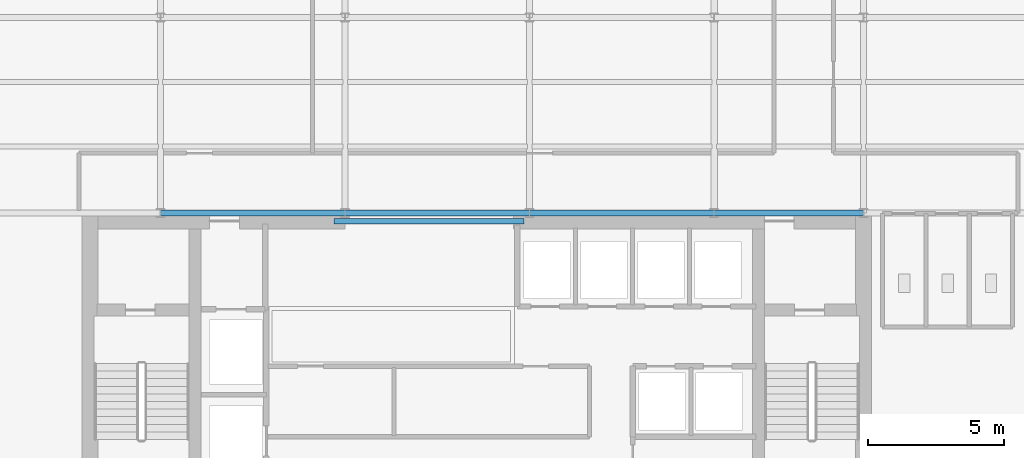
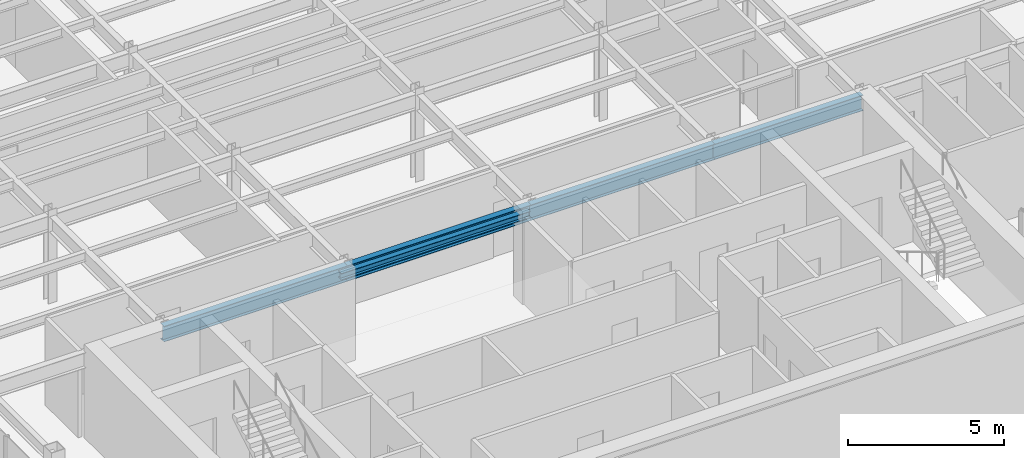
# One storey, part 4 of 22: 5 beams.
"""IFC4 building model written with IfcOpenShell, lengths in metres."""

from ifc_helpers import new_model, si_unit, derived_unit, direction, frame, origin, origin_2d, place, context, subcontext, project, spatial, i_section, extrude, source, transform, mapped, material, material_profile, profile_set, type_object, element, save


model = new_model("IFC4")

# Units and contexts
model_context = context("Model", 3, precision=1e-05, world=origin(), true_north=direction((0.0, 1.0)))
body_context = subcontext(model_context, "Body", "Model", "MODEL_VIEW")
ifc_project = project(units=[si_unit("LENGTHUNIT", "METRE"), si_unit("AREAUNIT", "SQUARE_METRE"), si_unit("VOLUMEUNIT", "CUBIC_METRE"), si_unit("PLANEANGLEUNIT", "RADIAN"), si_unit("MASSUNIT", "GRAM", prefix="KILO"), derived_unit("THERMALTRANSMITTANCEUNIT", [(si_unit("POWERUNIT", "WATT"), 1), (si_unit("LENGTHUNIT", "METRE"), -2), (si_unit("THERMODYNAMICTEMPERATUREUNIT", "KELVIN"), -1)])], contexts=[model_context])

# Site, building, storey
site_placement = place(None, origin())
site = spatial("IfcSite", under=ifc_project, at=site_placement, CompositionType="ELEMENT")
building_placement = place(site_placement, origin())
building = spatial("IfcBuilding", under=site, at=building_placement, Name="Skarnbrae Concourse Arena and Tower", CompositionType="ELEMENT")
storey_placement = place(building_placement, frame((0.0, 0.0, 199.550048828125)))
storey = spatial("IfcBuildingStorey", under=building, at=storey_placement, Name="L51", CompositionType="ELEMENT", Elevation=199.550048828125)

# Beams
ifc_material = material(Name="Steel CSA G40.21 350W", Category="steel")
ifc_material_profile_1 = material_profile(ifc_material, i_section(OverallWidth=0.202880859375, OverallDepth=0.251953125, WebThickness=0.008056640625, FlangeThickness=0.013427734375, at=origin_2d()), Name="W250X58")
ifc_profile_set_1 = profile_set([ifc_material_profile_1], Name="Steel CSA G40.21 350W")
beam_type_1 = type_object("IfcBeamType", Name="BM-LINTEL-W250X58", PredefinedType="LINTEL", material=ifc_profile_set_1)
shared_shape_1 = source(origin(), body_context, "Body", "SweptSolid", [
    extrude(i_section(OverallWidth=0.202880859375, OverallDepth=0.251953125, WebThickness=0.008056640625, FlangeThickness=0.013427734375, at=origin_2d()), origin(), (0.0, 0.0, 1.0), 7.0),
])
beam_1_placement = place(storey_placement, frame((14.0, 13.699951171875, 3.27392578125), z_axis=(1.0, 0.0, 0.0), x_axis=(0.0, 1.0, 0.0)))
element("IfcBeam", 1, at=beam_1_placement, inside=storey, type_object=beam_type_1, Name="L51 Core portal coupling lintel", PredefinedType="LINTEL", context=body_context, shape_type="MappedRepresentation", body=[
    mapped(shared_shape_1, transform((0.0, 0.0, 0.0))),
])
ifc_material_profile_2 = material_profile(ifc_material, i_section(OverallWidth=0.22802734375, OverallDepth=0.60791015625, WebThickness=0.01123046875, FlangeThickness=0.017333984375, at=origin_2d()), Name="W610X113")
ifc_profile_set_2 = profile_set([ifc_material_profile_2], Name="Steel CSA G40.21 350W")
beam_type_2 = type_object("IfcBeamType", Name="BM-GIRD-W610X113", PredefinedType="BEAM", material=ifc_profile_set_2)
shared_shape_2 = source(origin(), body_context, "Body", "SweptSolid", [
    extrude(i_section(OverallWidth=0.22802734375, OverallDepth=0.60791015625, WebThickness=0.01123046875, FlangeThickness=0.017333984375, at=origin_2d()), origin(), (0.0, 0.0, 1.0), 6.7998046875),
])
beam_2_placement = place(storey_placement, frame((7.60009765625, 14.0, 3.095947265625), z_axis=(1.0, 0.0, 0.0), x_axis=(0.0, 1.0, 0.0)))
element("IfcBeam", 2, at=beam_2_placement, inside=storey, type_object=beam_type_2, Name="L51 Primary E-W girder Y14.0-2", PredefinedType="BEAM", context=body_context, shape_type="MappedRepresentation", body=[
    mapped(shared_shape_2, transform((0.0, 0.0, 0.0))),
])
shared_shape_3 = source(origin(), body_context, "Body", "SweptSolid", [
    extrude(i_section(OverallWidth=0.22802734375, OverallDepth=0.60791015625, WebThickness=0.01123046875, FlangeThickness=0.017333984375, at=origin_2d()), origin(), (0.0, 0.0, 1.0), 6.800048828125),
])
for number, where, z_axis, x_axis, name in (
    (3, (14.39990234375, 14.0, 3.095947265625), (1.0, 0.0, 0.0), (0.0, 1.0, 0.0), "L51 Primary E-W girder Y14.0-3"),
    (4, (21.199951171875, 14.0, 3.095947265625), (1.0, 0.0, 0.0), (0.0, 1.0, 0.0), "L51 Primary E-W girder Y14.0-4"),
):
    element("IfcBeam", number, at=place(storey_placement, frame(where, z_axis=z_axis, x_axis=x_axis)), inside=storey, type_object=beam_type_2, Name=name, PredefinedType="BEAM", context=body_context, shape_type="MappedRepresentation", body=[
        mapped(shared_shape_3, transform((0.0, 0.0, 0.0))),
    ])
shared_shape_4 = source(origin(), body_context, "Body", "SweptSolid", [
    extrude(i_section(OverallWidth=0.22802734375, OverallDepth=0.60791015625, WebThickness=0.01123046875, FlangeThickness=0.017333984375, at=origin_2d()), origin(), (0.0, 0.0, 1.0), 5.5),
])
beam_3_placement = place(storey_placement, frame((28.0, 14.0, 3.095947265625), z_axis=(1.0, 0.0, 0.0), x_axis=(0.0, 1.0, 0.0)))
element("IfcBeam", 5, at=beam_3_placement, inside=storey, type_object=beam_type_2, Name="L51 Primary E-W girder Y14.0-5", PredefinedType="BEAM", context=body_context, shape_type="MappedRepresentation", body=[
    mapped(shared_shape_4, transform((0.0, 0.0, 0.0))),
])

save(model, "model.ifc")
